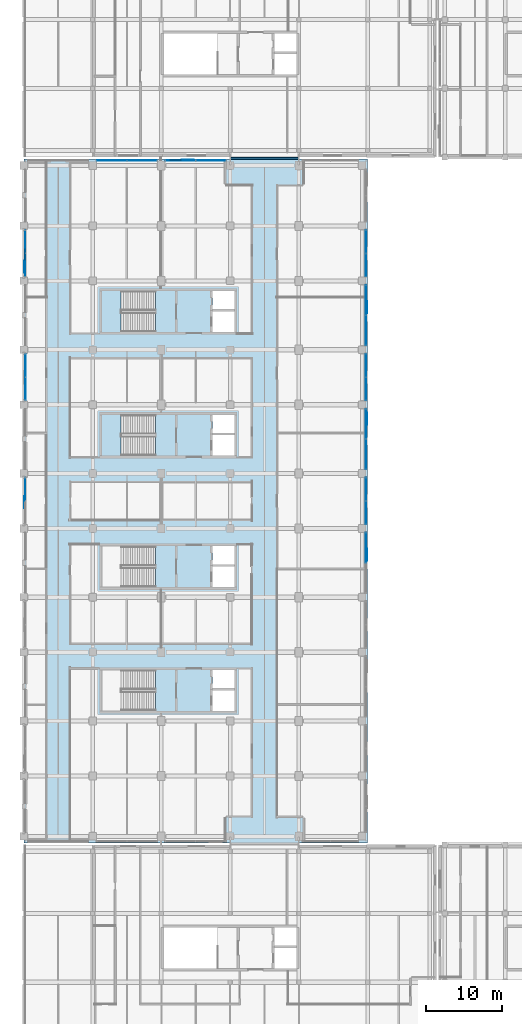
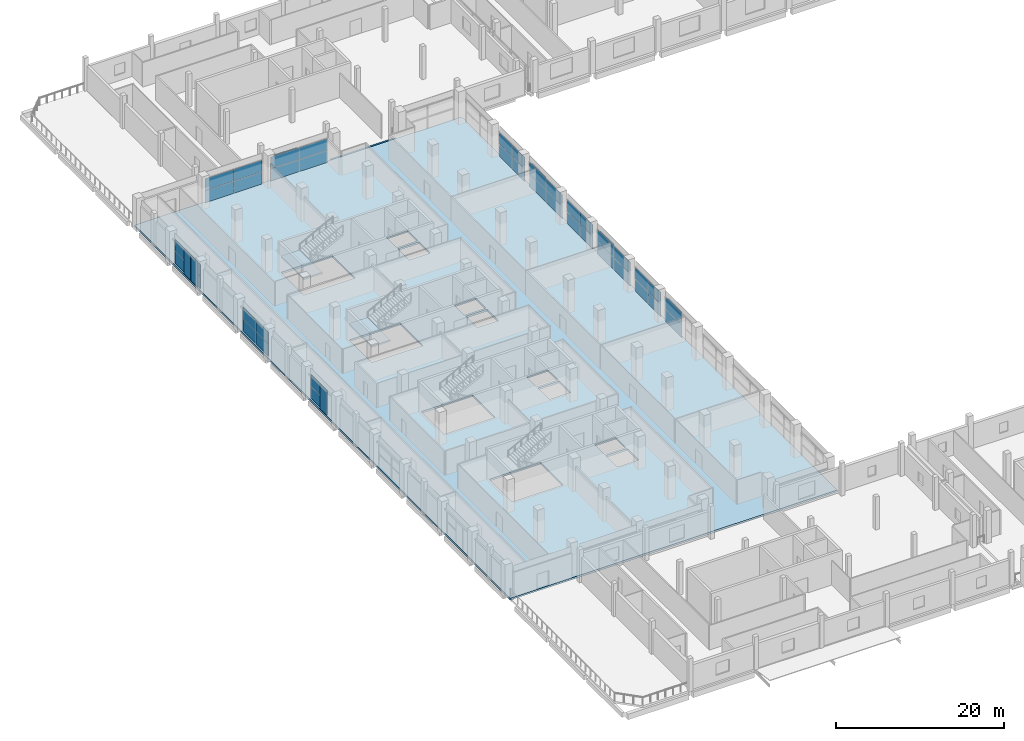
# One storey, part 55 of 111: 51 plates, 4 slabs, 13 elements without a shape of their own.
"""IFC4 building model written with IfcOpenShell, lengths in metres."""

import ifcopenshell
import ifcopenshell.guid

model = None  # the IFC model being written
_history = None  # IfcOwnerHistory: only IFC2X3 demands one
_inside = {}  # id of a spatial element -> (the spatial element, [elements in it])
_under = {}  # id of a project, library or spatial element -> (it, [spatial elements below it])
_declared = {}  # id of a project -> (the project, [libraries it declares])
_typed = {}  # id of a type object -> (the type object, [elements of that type])
_made_of = {}  # id of a material, layer set ... -> (it, [elements and type objects made of it])


def new_model(schema):
    """Start an empty IFC model of exactly this schema.

    Asked for "IFC4X3", IfcOpenShell would pick the latest addendum, in which some entities
    have other attributes; the version numbers below select the first issue.
    IFC2X3 requires an IfcOwnerHistory on every rooted entity: one is made here for all.
    """
    global model, _history
    if schema == "IFC4X3":
        model = ifcopenshell.file(schema_version=(4, 3, 0, 0))
    else:
        model = ifcopenshell.file(schema=schema)
    _inside.clear()
    _under.clear()
    _declared.clear()
    _typed.clear()
    _made_of.clear()
    _history = None
    if model.schema == "IFC2X3":
        org = make("IfcOrganization", Name="unknown")
        user = make(
            "IfcPersonAndOrganization",
            ThePerson=make("IfcPerson", FamilyName="unknown"),
            TheOrganization=org,
        )
        app = make(
            "IfcApplication",
            ApplicationDeveloper=org,
            Version="unknown",
            ApplicationFullName="unknown",
            ApplicationIdentifier="unknown",
        )
        _history = make(
            "IfcOwnerHistory",
            OwningUser=user,
            OwningApplication=app,
            ChangeAction="ADDED",
            CreationDate=0,
        )
    return model


def make(cls, **values):
    """One entity of the class cls with the attributes given. An attribute that is None is left unset."""
    return model.create_entity(
        cls, **{name: value for name, value in values.items() if value is not None}
    )


def rooted(cls, **values):
    """An entity with a GlobalId (a new one), such as an element, a storey or a relation."""
    return make(cls, GlobalId=ifcopenshell.guid.new(), OwnerHistory=_history, **values)


def si_unit(unit_type, name, prefix=None):
    """IfcSIUnit, for example si_unit("LENGTHUNIT", "METRE", prefix="MILLI")."""
    return make("IfcSIUnit", UnitType=unit_type, Prefix=prefix, Name=name)


def assignment(units):
    """IfcUnitAssignment: the units of a project."""
    return None if units is None else make("IfcUnitAssignment", Units=units)


def point(xyz):
    """IfcCartesianPoint."""
    return None if xyz is None else make("IfcCartesianPoint", Coordinates=xyz)


def direction(xyz):
    """IfcDirection."""
    return None if xyz is None else make("IfcDirection", DirectionRatios=xyz)


def frame(location, z_axis=None, x_axis=None):
    """IfcAxis2Placement3D, a coordinate frame: its origin and axes. An axis left out is left unset."""
    return make(
        "IfcAxis2Placement3D",
        Location=point(location),
        Axis=direction(z_axis),
        RefDirection=direction(x_axis),
    )


def frame_2d(location, x_axis=None):
    """IfcAxis2Placement2D, a coordinate frame in the plane: its origin and x axis."""
    return make(
        "IfcAxis2Placement2D", Location=point(location), RefDirection=direction(x_axis)
    )


def origin():
    """The frame at (0, 0, 0) with its axes left unset."""
    return frame((0.0, 0.0, 0.0))


def origin_2d():
    """The frame at (0, 0) in the plane with its x axis left unset."""
    return frame_2d((0.0, 0.0))


def place(relative_to, where):
    """IfcLocalPlacement: puts the frame where relative to a parent placement (None: the world)."""
    return make(
        "IfcLocalPlacement", PlacementRelTo=relative_to, RelativePlacement=where
    )


def context(
    kind, dimensions, precision=None, world=None, true_north=None, identifier=None
):
    """IfcGeometricRepresentationContext, for example the 3D "Model" context."""
    return make(
        "IfcGeometricRepresentationContext",
        ContextIdentifier=identifier,
        ContextType=kind,
        CoordinateSpaceDimension=dimensions,
        Precision=precision,
        WorldCoordinateSystem=world,
        TrueNorth=true_north,
    )


def subcontext(parent, identifier, kind, view, scale=None):
    """IfcGeometricRepresentationSubContext, for example "Body" below "Model"."""
    return make(
        "IfcGeometricRepresentationSubContext",
        ContextIdentifier=identifier,
        ContextType=kind,
        ParentContext=parent,
        TargetScale=scale,
        TargetView=view,
    )


def project(units=None, contexts=None):
    """IfcProject with its units and contexts."""
    return rooted(
        "IfcProject",
        Name="project",
        RepresentationContexts=contexts,
        UnitsInContext=assignment(units),
    )


def spatial(cls, under=None, at=None, **own):
    """A site, building, storey or space (cls), placed at a placement, below another one or the project."""
    s = rooted(cls, ObjectPlacement=at, **own)
    if under is not None:
        _under.setdefault(under.id(), (under, []))[1].append(s)
    return s


def polyline(points):
    """IfcPolyline through the points."""
    return make("IfcPolyline", Points=[point(p) for p in points])


def profile(cls, at=None, kind="AREA", **sizes):
    """A parametric profile (cls). Its sizes go by their IFC names, for example OverallWidth=200.0."""
    return make(cls, ProfileType=kind, Position=at, **sizes)


def rectangle(**sizes):
    """IfcRectangleProfileDef."""
    return profile("IfcRectangleProfileDef", **sizes)


def outline(outer, holes=None, kind="AREA"):
    """IfcArbitraryClosedProfileDef: a profile drawn as a closed curve; with holes, ...WithVoids."""
    if holes is None:
        return make("IfcArbitraryClosedProfileDef", ProfileType=kind, OuterCurve=outer)
    return make(
        "IfcArbitraryProfileDefWithVoids",
        ProfileType=kind,
        OuterCurve=outer,
        InnerCurves=holes,
    )


def extrude(swept, where, along, depth):
    """IfcExtrudedAreaSolid: the profile swept, set in the frame where, extruded along a direction by depth."""
    return make(
        "IfcExtrudedAreaSolid",
        SweptArea=swept,
        Position=where,
        ExtrudedDirection=direction(along),
        Depth=depth,
    )


def shape(context_of_items, identifier, shape_type, items):
    """IfcShapeRepresentation: the items that make up one representation, for example the "Body"."""
    return make(
        "IfcShapeRepresentation",
        ContextOfItems=context_of_items,
        RepresentationIdentifier=identifier,
        RepresentationType=shape_type,
        Items=items,
    )


def material(Name=None, Category=None):
    """IfcMaterial."""
    return make("IfcMaterial", Name=Name, Category=Category)


def layer(
    of_material, thickness, ventilated=None, Name=None, Category=None, Priority=None
):
    """IfcMaterialLayer: one layer of a wall or slab, of a material (None: an air gap)."""
    return make(
        "IfcMaterialLayer",
        Material=of_material,
        LayerThickness=thickness,
        IsVentilated=ventilated,
        Name=Name,
        Category=Category,
        Priority=Priority,
    )


def layer_set(layers, Name=None):
    """IfcMaterialLayerSet."""
    return make("IfcMaterialLayerSet", MaterialLayers=layers, LayerSetName=Name)


def made_of(thing, what):
    """Note that an element or type object is made of a material, layer set ...; save() writes the relation."""
    if what is not None:
        _made_of.setdefault(what.id(), (what, []))[1].append(thing)
    return thing


def type_object(cls, material=None, **own):
    """A type object (cls), such as IfcWallType, which elements share."""
    return made_of(rooted(cls, **own), material)


def element(
    cls,
    number,
    at=None,
    inside=None,
    cuts=None,
    type_object=None,
    material=None,
    context=None,
    identifier="Body",
    shape_type=None,
    held_by="IfcProductDefinitionShape",
    body=None,
    shapes=None,
    **own,
):
    """One element of the class cls, such as IfcWall. Its Tag is "e" and its number.

    at: its placement. inside: the storey or other place that contains it. cuts: it is an
    opening in that element (IfcRelVoidsElement). A single representation is given by context,
    identifier, shape_type and body (its items); several are given by shapes. held_by: the class
    of the entity that holds the representations. save() writes the other relations.
    """
    e = rooted(cls, Tag="e%d" % number, ObjectPlacement=at, **own)
    if body is not None:
        shapes = [shape(context, identifier, shape_type, body)]
    if shapes is not None:
        e.Representation = make(held_by, Representations=shapes)
    if inside is not None:
        _inside.setdefault(inside.id(), (inside, []))[1].append(e)
    if cuts is not None:
        rooted(
            "IfcRelVoidsElement", RelatingBuildingElement=cuts, RelatedOpeningElement=e
        )
    if type_object is not None:
        _typed.setdefault(type_object.id(), (type_object, []))[1].append(e)
    return made_of(e, material)


def aggregate(whole, parts):
    """IfcRelAggregates: a whole, such as a stair, and the parts it consists of."""
    return rooted("IfcRelAggregates", RelatingObject=whole, RelatedObjects=parts)


def save(model, path):
    """Write the relations noted so far, then the file.

    IfcRelAggregates (storeys below a building ...), IfcRelContainedInSpatialStructure (elements
    in a storey), IfcRelDefinesByType, IfcRelAssociatesMaterial and IfcRelDeclares: one each for
    every whole, place, type object, material and project.
    """
    for whole, parts in _under.values():
        aggregate(whole, parts)
    for where, things in _inside.values():
        rooted(
            "IfcRelContainedInSpatialStructure",
            RelatedElements=things,
            RelatingStructure=where,
        )
    for kind, things in _typed.values():
        rooted("IfcRelDefinesByType", RelatedObjects=things, RelatingType=kind)
    for what, things in _made_of.values():
        rooted("IfcRelAssociatesMaterial", RelatedObjects=things, RelatingMaterial=what)
    for by, libraries in _declared.values():
        rooted("IfcRelDeclares", RelatingContext=by, RelatedDefinitions=libraries)
    model.write(path)


model = new_model("IFC4")

# Units and contexts
model_context = context("Model", 3, precision=1e-05, world=origin(), true_north=direction((0.0, 1.0)))
body_context = subcontext(model_context, "Body", "Model", "MODEL_VIEW")
ifc_project = project(units=[si_unit("LENGTHUNIT", "METRE"), si_unit("AREAUNIT", "SQUARE_METRE"), si_unit("VOLUMEUNIT", "CUBIC_METRE"), si_unit("PLANEANGLEUNIT", "RADIAN"), si_unit("MASSUNIT", "GRAM", prefix="KILO"), si_unit("THERMODYNAMICTEMPERATUREUNIT", "KELVIN"), si_unit("POWERUNIT", "WATT")], contexts=[model_context])

# Site, building, storey
site_placement = place(None, origin())
site = spatial("IfcSite", under=ifc_project, at=site_placement, CompositionType="ELEMENT")
building_placement = place(site_placement, origin())
building = spatial("IfcBuilding", under=site, at=building_placement, Name="Sindhuravela Promenade Stadium", CompositionType="ELEMENT")
storey_placement = place(building_placement, frame((0.0, 0.0, 9.60009765625)))
storey = spatial("IfcBuildingStorey", under=building, at=storey_placement, Name="L02", CompositionType="ELEMENT", Elevation=9.60009765625)

# Plates
ifc_material_1 = material(Name="Perforated terracotta celosia brick (15 MPa)", Category="masonry")
ifc_layer_1 = layer(ifc_material_1, 0.090087890625)
ifc_layer_set_1 = layer_set([ifc_layer_1], Name="Perforated terracotta celosia brick (15 MPa)")
plate_type_1 = type_object("IfcPlateType", Name="CL-SCR-01", PredefinedType="USERDEFINED", material=ifc_layer_set_1)
for number, where, z_axis, x_axis, name in (
    (1, (0.1201171875, 80.85498046875, -0.000244140625), (0.0, 0.0, 1.0), (0.0, 1.0, 0.0), "Perforated brick celosia screen WEST L02-8"),
    (2, (21.455078125, 125.6298828125, -0.000244140625), (0.0, 0.0, 1.0), (1.0, 0.0, 0.0), "Perforated brick celosia screen WEST L02-12"),
    (3, (44.8798828125, 106.344970703125, -0.000244140625), (0.0, 0.0, 1.0), (0.0, -1.0, 0.0), "Perforated brick celosia screen WEST L02-16"),
    (4, (44.8798828125, 73.945068359375, -0.000244140625), (0.0, 0.0, 1.0), (0.0, -1.0, 0.0), "Perforated brick celosia screen WEST L02-20"),
):
    element("IfcPlate", number, at=place(storey_placement, frame(where, z_axis=z_axis, x_axis=x_axis)), inside=storey, type_object=plate_type_1, Name=name, ObjectType="SCREEN PANEL", PredefinedType="USERDEFINED", context=body_context, shape_type="SweptSolid", body=[
        extrude(rectangle(XDim=1.56005859375, YDim=0.090087890625, at=origin_2d()), origin(), (0.0, 0.0, 1.0), 3.580078125),
    ])
ifc_layer_2 = layer(ifc_material_1, 0.114990234375)
ifc_layer_set_2 = layer_set([ifc_layer_2], Name="Perforated terracotta celosia brick (15 MPa)")
plate_type_2 = type_object("IfcPlateType", Name="CL-SCR-02", PredefinedType="USERDEFINED", material=ifc_layer_set_2)
for number, where, z_axis, x_axis, name in (
    (5, (0.1201171875, 111.655029296875, -0.000244140625), (0.0, 0.0, 1.0), (0.0, 1.0, 0.0), "Perforated brick celosia screen WEST L02-9"),
    (6, (44.8798828125, 91.7451171875, -0.000244140625), (0.0, 0.0, 1.0), (0.0, -1.0, 0.0), "Perforated brick celosia screen WEST L02-17"),
):
    element("IfcPlate", number, at=place(storey_placement, frame(where, z_axis=z_axis, x_axis=x_axis)), inside=storey, type_object=plate_type_2, Name=name, ObjectType="SCREEN PANEL", PredefinedType="USERDEFINED", context=body_context, shape_type="SweptSolid", body=[
        extrude(rectangle(XDim=1.56005859375, YDim=0.114990234375, at=origin_2d()), origin(), (0.0, 0.0, 1.0), 3.580078125),
    ])
ifc_layer_3 = layer(ifc_material_1, 0.139892578125)
ifc_layer_set_3 = layer_set([ifc_layer_3], Name="Perforated terracotta celosia brick (15 MPa)")
plate_type_3 = type_object("IfcPlateType", Name="CL-SCR-03", PredefinedType="USERDEFINED", material=ifc_layer_set_3)
for number, where, z_axis, x_axis, name in (
    (7, (0.1201171875, 113.2548828125, -0.000244140625), (0.0, 0.0, 1.0), (0.0, 1.0, 0.0), "Perforated brick celosia screen WEST L02-10"),
    (8, (44.8798828125, 90.14501953125, -0.000244140625), (0.0, 0.0, 1.0), (0.0, -1.0, 0.0), "Perforated brick celosia screen WEST L02-18"),
):
    element("IfcPlate", number, at=place(storey_placement, frame(where, z_axis=z_axis, x_axis=x_axis)), inside=storey, type_object=plate_type_3, Name=name, ObjectType="SCREEN PANEL", PredefinedType="USERDEFINED", context=body_context, shape_type="SweptSolid", body=[
        extrude(rectangle(XDim=1.56005859375, YDim=0.139892578125, at=origin_2d()), origin(), (0.0, 0.0, 1.0), 3.580078125),
    ])
ifc_layer_4 = layer(ifc_material_1, 0.1650390625)
ifc_layer_set_4 = layer_set([ifc_layer_4], Name="Perforated terracotta celosia brick (15 MPa)")
plate_type_4 = type_object("IfcPlateType", Name="CL-SCR-04", PredefinedType="USERDEFINED", material=ifc_layer_set_4)
for number, where, z_axis, x_axis, name in (
    (9, (19.85498046875, 125.6298828125, -0.000244140625), (0.0, 0.0, 1.0), (1.0, 0.0, 0.0), "Perforated brick celosia screen WEST L02-11"),
    (10, (44.8798828125, 107.945068359375, -0.000244140625), (0.0, 0.0, 1.0), (0.0, -1.0, 0.0), "Perforated brick celosia screen WEST L02-15"),
    (11, (44.8798828125, 75.544921875, -0.000244140625), (0.0, 0.0, 1.0), (0.0, -1.0, 0.0), "Perforated brick celosia screen WEST L02-19"),
):
    element("IfcPlate", number, at=place(storey_placement, frame(where, z_axis=z_axis, x_axis=x_axis)), inside=storey, type_object=plate_type_4, Name=name, ObjectType="SCREEN PANEL", PredefinedType="USERDEFINED", context=body_context, shape_type="SweptSolid", body=[
        extrude(rectangle(XDim=1.56005859375, YDim=0.1650390625, at=origin_2d()), origin(), (0.0, 0.0, 1.0), 3.580078125),
    ])

# Curtain wall, plates
ifc_material_2 = material(Name="Anodised architectural aluminium 6063-T6", Category="aluminium")
curtain_wall_type_1 = type_object("IfcCurtainWallType", Name="CW-MOD-1", PredefinedType="NOTDEFINED", material=ifc_material_2)
curtain_wall_1_placement = place(storey_placement, origin())
curtain_wall_1 = element("IfcCurtainWall", 12, at=curtain_wall_1_placement, inside=storey, type_object=curtain_wall_type_1, Name="Bronze curtain wall CW-WEST-L02-008", PredefinedType="NOTDEFINED")
ifc_material_3 = material(Name="Tempered laminated low-E glass", Category="glass")
ifc_layer_5 = layer(ifc_material_3, 0.028076171875)
ifc_layer_set_5 = layer_set([ifc_layer_5], Name="Tempered laminated low-E glass")
plate_type_5 = type_object("IfcPlateType", Name="CW-PNL-01", PredefinedType="CURTAIN_PANEL", material=ifc_layer_set_5)
plate_1_placement = place(storey_placement, frame((0.199951171875, 82.52490234375, 0.01513671875), z_axis=(0.0, 0.0, 1.0), x_axis=(0.0, 1.0, 0.0)))
plate_1 = element("IfcPlate", 13, at=plate_1_placement, type_object=plate_type_5, Name="Glazed curtain panel CW-WEST-L02-008-P2.1", PredefinedType="CURTAIN_PANEL", context=body_context, shape_type="SweptSolid", body=[
    extrude(rectangle(XDim=2.989990234375, YDim=0.028076171875, at=origin_2d()), origin(), (0.0, 0.0, 1.0), 1.760009765625),
])
plate_2_placement = place(storey_placement, frame((0.199951171875, 82.52490234375, 1.80517578125), z_axis=(0.0, 0.0, 1.0), x_axis=(0.0, 1.0, 0.0)))
plate_2 = element("IfcPlate", 14, at=plate_2_placement, type_object=plate_type_5, Name="Glazed curtain panel CW-WEST-L02-008-P2.2", PredefinedType="CURTAIN_PANEL", context=body_context, shape_type="SweptSolid", body=[
    extrude(rectangle(XDim=2.989990234375, YDim=0.028076171875, at=origin_2d()), origin(), (0.0, 0.0, 1.0), 1.679931640625),
])
aggregate(curtain_wall_1, [plate_1, plate_2])

curtain_wall_type_2 = type_object("IfcCurtainWallType", Name="CW-MOD-3", PredefinedType="NOTDEFINED", material=ifc_material_2)
curtain_wall_2_placement = place(storey_placement, origin())
curtain_wall_2 = element("IfcCurtainWall", 15, at=curtain_wall_2_placement, inside=storey, type_object=curtain_wall_type_2, Name="Bronze curtain wall CW-WEST-L02-010", PredefinedType="NOTDEFINED")
plate_3_placement = place(storey_placement, frame((0.199951171875, 111.875, 0.01513671875), z_axis=(0.0, 0.0, 1.0), x_axis=(0.0, 1.0, 0.0)))
plate_3 = element("IfcPlate", 16, at=plate_3_placement, type_object=plate_type_5, Name="Glazed curtain panel CW-WEST-L02-010-P1.1", PredefinedType="CURTAIN_PANEL", context=body_context, shape_type="SweptSolid", body=[
    extrude(rectangle(XDim=2.989990234375, YDim=0.028076171875, at=origin_2d()), origin(), (0.0, 0.0, 1.0), 1.760009765625),
])
plate_4_placement = place(storey_placement, frame((0.199951171875, 111.875, 1.80517578125), z_axis=(0.0, 0.0, 1.0), x_axis=(0.0, 1.0, 0.0)))
plate_4 = element("IfcPlate", 17, at=plate_4_placement, type_object=plate_type_5, Name="Glazed curtain panel CW-WEST-L02-010-P1.2", PredefinedType="CURTAIN_PANEL", context=body_context, shape_type="SweptSolid", body=[
    extrude(rectangle(XDim=2.989990234375, YDim=0.028076171875, at=origin_2d()), origin(), (0.0, 0.0, 1.0), 1.679931640625),
])
plate_5_placement = place(storey_placement, frame((0.199951171875, 114.925048828125, 0.01513671875), z_axis=(0.0, 0.0, 1.0), x_axis=(0.0, 1.0, 0.0)))
plate_5 = element("IfcPlate", 18, at=plate_5_placement, type_object=plate_type_5, Name="Glazed curtain panel CW-WEST-L02-010-P2.1", PredefinedType="CURTAIN_PANEL", context=body_context, shape_type="SweptSolid", body=[
    extrude(rectangle(XDim=2.989990234375, YDim=0.028076171875, at=origin_2d()), origin(), (0.0, 0.0, 1.0), 1.760009765625),
])
plate_6_placement = place(storey_placement, frame((0.199951171875, 114.925048828125, 1.80517578125), z_axis=(0.0, 0.0, 1.0), x_axis=(0.0, 1.0, 0.0)))
plate_6 = element("IfcPlate", 19, at=plate_6_placement, type_object=plate_type_5, Name="Glazed curtain panel CW-WEST-L02-010-P2.2", PredefinedType="CURTAIN_PANEL", context=body_context, shape_type="SweptSolid", body=[
    extrude(rectangle(XDim=2.989990234375, YDim=0.028076171875, at=origin_2d()), origin(), (0.0, 0.0, 1.0), 1.679931640625),
])
aggregate(curtain_wall_2, [plate_3, plate_4, plate_5, plate_6])

curtain_wall_type_3 = type_object("IfcCurtainWallType", Name="CW-MOD-5", PredefinedType="NOTDEFINED", material=ifc_material_2)
curtain_wall_3_placement = place(storey_placement, origin())
curtain_wall_3 = element("IfcCurtainWall", 20, at=curtain_wall_3_placement, inside=storey, type_object=curtain_wall_type_3, Name="Bronze curtain wall CW-WEST-L02-012", PredefinedType="NOTDEFINED")
plate_7_placement = place(storey_placement, frame((20.52490234375, 125.550048828125, 0.01513671875), z_axis=(0.0, 0.0, 1.0), x_axis=(1.0, 0.0, 0.0)))
plate_7 = element("IfcPlate", 21, at=plate_7_placement, type_object=plate_type_5, Name="Glazed curtain panel CW-WEST-L02-012-P1.1", PredefinedType="CURTAIN_PANEL", context=body_context, shape_type="SweptSolid", body=[
    extrude(rectangle(XDim=3.889892578125, YDim=0.028076171875, at=origin_2d()), origin(), (0.0, 0.0, 1.0), 1.760009765625),
])
plate_8_placement = place(storey_placement, frame((20.52490234375, 125.550048828125, 1.80517578125), z_axis=(0.0, 0.0, 1.0), x_axis=(1.0, 0.0, 0.0)))
plate_8 = element("IfcPlate", 22, at=plate_8_placement, type_object=plate_type_5, Name="Glazed curtain panel CW-WEST-L02-012-P1.2", PredefinedType="CURTAIN_PANEL", context=body_context, shape_type="SweptSolid", body=[
    extrude(rectangle(XDim=3.889892578125, YDim=0.028076171875, at=origin_2d()), origin(), (0.0, 0.0, 1.0), 1.679931640625),
])
plate_9_placement = place(storey_placement, frame((24.47509765625, 125.550048828125, 0.01513671875), z_axis=(0.0, 0.0, 1.0), x_axis=(1.0, 0.0, 0.0)))
plate_9 = element("IfcPlate", 23, at=plate_9_placement, type_object=plate_type_5, Name="Glazed curtain panel CW-WEST-L02-012-P2.1", PredefinedType="CURTAIN_PANEL", context=body_context, shape_type="SweptSolid", body=[
    extrude(rectangle(XDim=3.889892578125, YDim=0.028076171875, at=origin_2d()), origin(), (0.0, 0.0, 1.0), 1.760009765625),
])
plate_10_placement = place(storey_placement, frame((24.47509765625, 125.550048828125, 1.80517578125), z_axis=(0.0, 0.0, 1.0), x_axis=(1.0, 0.0, 0.0)))
plate_10 = element("IfcPlate", 24, at=plate_10_placement, type_object=plate_type_5, Name="Glazed curtain panel CW-WEST-L02-012-P2.2", PredefinedType="CURTAIN_PANEL", context=body_context, shape_type="SweptSolid", body=[
    extrude(rectangle(XDim=3.889892578125, YDim=0.028076171875, at=origin_2d()), origin(), (0.0, 0.0, 1.0), 1.679931640625),
])
aggregate(curtain_wall_3, [plate_7, plate_8, plate_9, plate_10])

curtain_wall_4_placement = place(storey_placement, origin())
curtain_wall_4 = element("IfcCurtainWall", 25, at=curtain_wall_4_placement, inside=storey, type_object=curtain_wall_type_1, Name="Bronze curtain wall CW-WEST-L02-016", PredefinedType="NOTDEFINED")
plate_11_placement = place(storey_placement, frame((44.800048828125, 107.27490234375, 0.01513671875), z_axis=(0.0, 0.0, 1.0), x_axis=(0.0, -1.0, 0.0)))
plate_11 = element("IfcPlate", 26, at=plate_11_placement, type_object=plate_type_5, Name="Glazed curtain panel CW-WEST-L02-016-P1.1", PredefinedType="CURTAIN_PANEL", context=body_context, shape_type="SweptSolid", body=[
    extrude(rectangle(XDim=3.889892578125, YDim=0.028076171875, at=origin_2d()), origin(), (0.0, 0.0, 1.0), 1.760009765625),
])
plate_12_placement = place(storey_placement, frame((44.800048828125, 107.27490234375, 1.80517578125), z_axis=(0.0, 0.0, 1.0), x_axis=(0.0, -1.0, 0.0)))
plate_12 = element("IfcPlate", 27, at=plate_12_placement, type_object=plate_type_5, Name="Glazed curtain panel CW-WEST-L02-016-P1.2", PredefinedType="CURTAIN_PANEL", context=body_context, shape_type="SweptSolid", body=[
    extrude(rectangle(XDim=3.889892578125, YDim=0.028076171875, at=origin_2d()), origin(), (0.0, 0.0, 1.0), 1.679931640625),
])
plate_13_placement = place(storey_placement, frame((44.800048828125, 103.324951171875, 0.01513671875), z_axis=(0.0, 0.0, 1.0), x_axis=(0.0, -1.0, 0.0)))
plate_13 = element("IfcPlate", 28, at=plate_13_placement, type_object=plate_type_5, Name="Glazed curtain panel CW-WEST-L02-016-P2.1", PredefinedType="CURTAIN_PANEL", context=body_context, shape_type="SweptSolid", body=[
    extrude(rectangle(XDim=3.889892578125, YDim=0.028076171875, at=origin_2d()), origin(), (0.0, 0.0, 1.0), 1.760009765625),
])
plate_14_placement = place(storey_placement, frame((44.800048828125, 103.324951171875, 1.80517578125), z_axis=(0.0, 0.0, 1.0), x_axis=(0.0, -1.0, 0.0)))
plate_14 = element("IfcPlate", 29, at=plate_14_placement, type_object=plate_type_5, Name="Glazed curtain panel CW-WEST-L02-016-P2.2", PredefinedType="CURTAIN_PANEL", context=body_context, shape_type="SweptSolid", body=[
    extrude(rectangle(XDim=3.889892578125, YDim=0.028076171875, at=origin_2d()), origin(), (0.0, 0.0, 1.0), 1.679931640625),
])
aggregate(curtain_wall_4, [plate_11, plate_12, plate_13, plate_14])

curtain_wall_5_placement = place(storey_placement, origin())
curtain_wall_5 = element("IfcCurtainWall", 30, at=curtain_wall_5_placement, inside=storey, type_object=curtain_wall_type_2, Name="Bronze curtain wall CW-WEST-L02-018", PredefinedType="NOTDEFINED")
plate_15_placement = place(storey_placement, frame((44.800048828125, 91.074951171875, 0.01513671875), z_axis=(0.0, 0.0, 1.0), x_axis=(0.0, -1.0, 0.0)))
plate_15 = element("IfcPlate", 31, at=plate_15_placement, type_object=plate_type_5, Name="Glazed curtain panel CW-WEST-L02-018-P1.1", PredefinedType="CURTAIN_PANEL", context=body_context, shape_type="SweptSolid", body=[
    extrude(rectangle(XDim=3.889892578125, YDim=0.028076171875, at=origin_2d()), origin(), (0.0, 0.0, 1.0), 1.760009765625),
])
plate_16_placement = place(storey_placement, frame((44.800048828125, 91.074951171875, 1.80517578125), z_axis=(0.0, 0.0, 1.0), x_axis=(0.0, -1.0, 0.0)))
plate_16 = element("IfcPlate", 32, at=plate_16_placement, type_object=plate_type_5, Name="Glazed curtain panel CW-WEST-L02-018-P1.2", PredefinedType="CURTAIN_PANEL", context=body_context, shape_type="SweptSolid", body=[
    extrude(rectangle(XDim=3.889892578125, YDim=0.028076171875, at=origin_2d()), origin(), (0.0, 0.0, 1.0), 1.679931640625),
])
plate_17_placement = place(storey_placement, frame((44.800048828125, 87.125, 0.01513671875), z_axis=(0.0, 0.0, 1.0), x_axis=(0.0, -1.0, 0.0)))
plate_17 = element("IfcPlate", 33, at=plate_17_placement, type_object=plate_type_5, Name="Glazed curtain panel CW-WEST-L02-018-P2.1", PredefinedType="CURTAIN_PANEL", context=body_context, shape_type="SweptSolid", body=[
    extrude(rectangle(XDim=3.889892578125, YDim=0.028076171875, at=origin_2d()), origin(), (0.0, 0.0, 1.0), 1.760009765625),
])
plate_18_placement = place(storey_placement, frame((44.800048828125, 87.125, 1.80517578125), z_axis=(0.0, 0.0, 1.0), x_axis=(0.0, -1.0, 0.0)))
plate_18 = element("IfcPlate", 34, at=plate_18_placement, type_object=plate_type_5, Name="Glazed curtain panel CW-WEST-L02-018-P2.2", PredefinedType="CURTAIN_PANEL", context=body_context, shape_type="SweptSolid", body=[
    extrude(rectangle(XDim=3.889892578125, YDim=0.028076171875, at=origin_2d()), origin(), (0.0, 0.0, 1.0), 1.679931640625),
])
aggregate(curtain_wall_5, [plate_15, plate_16, plate_17, plate_18])

curtain_wall_6_placement = place(storey_placement, origin())
curtain_wall_6 = element("IfcCurtainWall", 35, at=curtain_wall_6_placement, inside=storey, type_object=curtain_wall_type_3, Name="Bronze curtain wall CW-WEST-L02-020", PredefinedType="NOTDEFINED")
plate_19_placement = place(storey_placement, frame((44.800048828125, 74.875, 0.01513671875), z_axis=(0.0, 0.0, 1.0), x_axis=(0.0, -1.0, 0.0)))
plate_19 = element("IfcPlate", 36, at=plate_19_placement, type_object=plate_type_5, Name="Glazed curtain panel CW-WEST-L02-020-P1.1", PredefinedType="CURTAIN_PANEL", context=body_context, shape_type="SweptSolid", body=[
    extrude(rectangle(XDim=3.889892578125, YDim=0.028076171875, at=origin_2d()), origin(), (0.0, 0.0, 1.0), 1.760009765625),
])
plate_20_placement = place(storey_placement, frame((44.800048828125, 74.875, 1.80517578125), z_axis=(0.0, 0.0, 1.0), x_axis=(0.0, -1.0, 0.0)))
plate_20 = element("IfcPlate", 37, at=plate_20_placement, type_object=plate_type_5, Name="Glazed curtain panel CW-WEST-L02-020-P1.2", PredefinedType="CURTAIN_PANEL", context=body_context, shape_type="SweptSolid", body=[
    extrude(rectangle(XDim=3.889892578125, YDim=0.028076171875, at=origin_2d()), origin(), (0.0, 0.0, 1.0), 1.679931640625),
])
aggregate(curtain_wall_6, [plate_19, plate_20])

curtain_wall_type_4 = type_object("IfcCurtainWallType", Name="CW-MOD-2", PredefinedType="NOTDEFINED", material=ifc_material_2)
curtain_wall_7_placement = place(storey_placement, origin())
curtain_wall_7 = element("IfcCurtainWall", 38, at=curtain_wall_7_placement, inside=storey, type_object=curtain_wall_type_4, Name="Bronze curtain wall CW-WEST-L02-009", PredefinedType="NOTDEFINED")
ifc_layer_6 = layer(ifc_material_3, 0.0400390625)
ifc_layer_set_6 = layer_set([ifc_layer_6], Name="Tempered laminated low-E glass")
plate_type_6 = type_object("IfcPlateType", Name="CW-PNL-02", PredefinedType="CURTAIN_PANEL", material=ifc_layer_set_6)
plate_21_placement = place(storey_placement, frame((0.199951171875, 95.675048828125, 0.01513671875), z_axis=(0.0, 0.0, 1.0), x_axis=(0.0, 1.0, 0.0)))
plate_21 = element("IfcPlate", 39, at=plate_21_placement, type_object=plate_type_6, Name="Glazed curtain panel CW-WEST-L02-009-P1.1", PredefinedType="CURTAIN_PANEL", context=body_context, shape_type="SweptSolid", body=[
    extrude(rectangle(XDim=2.989990234375, YDim=0.0400390625, at=origin_2d()), origin(), (0.0, 0.0, 1.0), 1.760009765625),
])
plate_22_placement = place(storey_placement, frame((0.199951171875, 95.675048828125, 1.80517578125), z_axis=(0.0, 0.0, 1.0), x_axis=(0.0, 1.0, 0.0)))
plate_22 = element("IfcPlate", 40, at=plate_22_placement, type_object=plate_type_6, Name="Glazed curtain panel CW-WEST-L02-009-P1.2", PredefinedType="CURTAIN_PANEL", context=body_context, shape_type="SweptSolid", body=[
    extrude(rectangle(XDim=2.989990234375, YDim=0.0400390625, at=origin_2d()), origin(), (0.0, 0.0, 1.0), 1.679931640625),
])
plate_23_placement = place(storey_placement, frame((0.199951171875, 98.72509765625, 0.01513671875), z_axis=(0.0, 0.0, 1.0), x_axis=(0.0, 1.0, 0.0)))
plate_23 = element("IfcPlate", 41, at=plate_23_placement, type_object=plate_type_6, Name="Glazed curtain panel CW-WEST-L02-009-P2.1", PredefinedType="CURTAIN_PANEL", context=body_context, shape_type="SweptSolid", body=[
    extrude(rectangle(XDim=2.989990234375, YDim=0.0400390625, at=origin_2d()), origin(), (0.0, 0.0, 1.0), 1.760009765625),
])
plate_24_placement = place(storey_placement, frame((0.199951171875, 98.72509765625, 1.80517578125), z_axis=(0.0, 0.0, 1.0), x_axis=(0.0, 1.0, 0.0)))
plate_24 = element("IfcPlate", 42, at=plate_24_placement, type_object=plate_type_6, Name="Glazed curtain panel CW-WEST-L02-009-P2.2", PredefinedType="CURTAIN_PANEL", context=body_context, shape_type="SweptSolid", body=[
    extrude(rectangle(XDim=2.989990234375, YDim=0.0400390625, at=origin_2d()), origin(), (0.0, 0.0, 1.0), 1.679931640625),
])
aggregate(curtain_wall_7, [plate_21, plate_22, plate_23, plate_24])

curtain_wall_type_5 = type_object("IfcCurtainWallType", Name="CW-MOD-4", PredefinedType="NOTDEFINED", material=ifc_material_2)
curtain_wall_8_placement = place(storey_placement, origin())
curtain_wall_8 = element("IfcCurtainWall", 43, at=curtain_wall_8_placement, inside=storey, type_object=curtain_wall_type_5, Name="Bronze curtain wall CW-WEST-L02-011", PredefinedType="NOTDEFINED")
plate_25_placement = place(storey_placement, frame((11.52490234375, 125.550048828125, 0.01513671875), z_axis=(0.0, 0.0, 1.0), x_axis=(1.0, 0.0, 0.0)))
plate_25 = element("IfcPlate", 44, at=plate_25_placement, type_object=plate_type_6, Name="Glazed curtain panel CW-WEST-L02-011-P1.1", PredefinedType="CURTAIN_PANEL", context=body_context, shape_type="SweptSolid", body=[
    extrude(rectangle(XDim=3.889892578125, YDim=0.0400390625, at=origin_2d()), origin(), (0.0, 0.0, 1.0), 1.760009765625),
])
plate_26_placement = place(storey_placement, frame((11.52490234375, 125.550048828125, 1.80517578125), z_axis=(0.0, 0.0, 1.0), x_axis=(1.0, 0.0, 0.0)))
plate_26 = element("IfcPlate", 45, at=plate_26_placement, type_object=plate_type_6, Name="Glazed curtain panel CW-WEST-L02-011-P1.2", PredefinedType="CURTAIN_PANEL", context=body_context, shape_type="SweptSolid", body=[
    extrude(rectangle(XDim=3.889892578125, YDim=0.0400390625, at=origin_2d()), origin(), (0.0, 0.0, 1.0), 1.679931640625),
])
plate_27_placement = place(storey_placement, frame((15.47509765625, 125.550048828125, 0.01513671875), z_axis=(0.0, 0.0, 1.0), x_axis=(1.0, 0.0, 0.0)))
plate_27 = element("IfcPlate", 46, at=plate_27_placement, type_object=plate_type_6, Name="Glazed curtain panel CW-WEST-L02-011-P2.1", PredefinedType="CURTAIN_PANEL", context=body_context, shape_type="SweptSolid", body=[
    extrude(rectangle(XDim=3.889892578125, YDim=0.0400390625, at=origin_2d()), origin(), (0.0, 0.0, 1.0), 1.760009765625),
])
plate_28_placement = place(storey_placement, frame((15.47509765625, 125.550048828125, 1.80517578125), z_axis=(0.0, 0.0, 1.0), x_axis=(1.0, 0.0, 0.0)))
plate_28 = element("IfcPlate", 47, at=plate_28_placement, type_object=plate_type_6, Name="Glazed curtain panel CW-WEST-L02-011-P2.2", PredefinedType="CURTAIN_PANEL", context=body_context, shape_type="SweptSolid", body=[
    extrude(rectangle(XDim=3.889892578125, YDim=0.0400390625, at=origin_2d()), origin(), (0.0, 0.0, 1.0), 1.679931640625),
])
aggregate(curtain_wall_8, [plate_25, plate_26, plate_27, plate_28])

curtain_wall_type_6 = type_object("IfcCurtainWallType", Name="CW-MOD-8", PredefinedType="NOTDEFINED", material=ifc_material_2)
curtain_wall_9_placement = place(storey_placement, origin())
curtain_wall_9 = element("IfcCurtainWall", 48, at=curtain_wall_9_placement, inside=storey, type_object=curtain_wall_type_6, Name="Bronze curtain wall CW-WEST-L02-015", PredefinedType="NOTDEFINED")
plate_29_placement = place(storey_placement, frame((44.800048828125, 114.925048828125, 0.01513671875), z_axis=(0.0, 0.0, 1.0), x_axis=(0.0, -1.0, 0.0)))
plate_29 = element("IfcPlate", 49, at=plate_29_placement, type_object=plate_type_6, Name="Glazed curtain panel CW-WEST-L02-015-P1.1", PredefinedType="CURTAIN_PANEL", context=body_context, shape_type="SweptSolid", body=[
    extrude(rectangle(XDim=2.989990234375, YDim=0.0400390625, at=origin_2d()), origin(), (0.0, 0.0, 1.0), 1.760009765625),
])
plate_30_placement = place(storey_placement, frame((44.800048828125, 114.925048828125, 1.80517578125), z_axis=(0.0, 0.0, 1.0), x_axis=(0.0, -1.0, 0.0)))
plate_30 = element("IfcPlate", 50, at=plate_30_placement, type_object=plate_type_6, Name="Glazed curtain panel CW-WEST-L02-015-P1.2", PredefinedType="CURTAIN_PANEL", context=body_context, shape_type="SweptSolid", body=[
    extrude(rectangle(XDim=2.989990234375, YDim=0.0400390625, at=origin_2d()), origin(), (0.0, 0.0, 1.0), 1.679931640625),
])
plate_31_placement = place(storey_placement, frame((44.800048828125, 111.875, 0.01513671875), z_axis=(0.0, 0.0, 1.0), x_axis=(0.0, -1.0, 0.0)))
plate_31 = element("IfcPlate", 51, at=plate_31_placement, type_object=plate_type_6, Name="Glazed curtain panel CW-WEST-L02-015-P2.1", PredefinedType="CURTAIN_PANEL", context=body_context, shape_type="SweptSolid", body=[
    extrude(rectangle(XDim=2.989990234375, YDim=0.0400390625, at=origin_2d()), origin(), (0.0, 0.0, 1.0), 1.760009765625),
])
plate_32_placement = place(storey_placement, frame((44.800048828125, 111.875, 1.80517578125), z_axis=(0.0, 0.0, 1.0), x_axis=(0.0, -1.0, 0.0)))
plate_32 = element("IfcPlate", 52, at=plate_32_placement, type_object=plate_type_6, Name="Glazed curtain panel CW-WEST-L02-015-P2.2", PredefinedType="CURTAIN_PANEL", context=body_context, shape_type="SweptSolid", body=[
    extrude(rectangle(XDim=2.989990234375, YDim=0.0400390625, at=origin_2d()), origin(), (0.0, 0.0, 1.0), 1.679931640625),
])
aggregate(curtain_wall_9, [plate_29, plate_30, plate_31, plate_32])

curtain_wall_10_placement = place(storey_placement, origin())
curtain_wall_10 = element("IfcCurtainWall", 53, at=curtain_wall_10_placement, inside=storey, type_object=curtain_wall_type_4, Name="Bronze curtain wall CW-WEST-L02-017", PredefinedType="NOTDEFINED")
plate_33_placement = place(storey_placement, frame((44.800048828125, 98.72509765625, 0.01513671875), z_axis=(0.0, 0.0, 1.0), x_axis=(0.0, -1.0, 0.0)))
plate_33 = element("IfcPlate", 54, at=plate_33_placement, type_object=plate_type_6, Name="Glazed curtain panel CW-WEST-L02-017-P1.1", PredefinedType="CURTAIN_PANEL", context=body_context, shape_type="SweptSolid", body=[
    extrude(rectangle(XDim=2.989990234375, YDim=0.0400390625, at=origin_2d()), origin(), (0.0, 0.0, 1.0), 1.760009765625),
])
plate_34_placement = place(storey_placement, frame((44.800048828125, 98.72509765625, 1.80517578125), z_axis=(0.0, 0.0, 1.0), x_axis=(0.0, -1.0, 0.0)))
plate_34 = element("IfcPlate", 55, at=plate_34_placement, type_object=plate_type_6, Name="Glazed curtain panel CW-WEST-L02-017-P1.2", PredefinedType="CURTAIN_PANEL", context=body_context, shape_type="SweptSolid", body=[
    extrude(rectangle(XDim=2.989990234375, YDim=0.0400390625, at=origin_2d()), origin(), (0.0, 0.0, 1.0), 1.679931640625),
])
plate_35_placement = place(storey_placement, frame((44.800048828125, 95.675048828125, 0.01513671875), z_axis=(0.0, 0.0, 1.0), x_axis=(0.0, -1.0, 0.0)))
plate_35 = element("IfcPlate", 56, at=plate_35_placement, type_object=plate_type_6, Name="Glazed curtain panel CW-WEST-L02-017-P2.1", PredefinedType="CURTAIN_PANEL", context=body_context, shape_type="SweptSolid", body=[
    extrude(rectangle(XDim=2.989990234375, YDim=0.0400390625, at=origin_2d()), origin(), (0.0, 0.0, 1.0), 1.760009765625),
])
plate_36_placement = place(storey_placement, frame((44.800048828125, 95.675048828125, 1.80517578125), z_axis=(0.0, 0.0, 1.0), x_axis=(0.0, -1.0, 0.0)))
plate_36 = element("IfcPlate", 57, at=plate_36_placement, type_object=plate_type_6, Name="Glazed curtain panel CW-WEST-L02-017-P2.2", PredefinedType="CURTAIN_PANEL", context=body_context, shape_type="SweptSolid", body=[
    extrude(rectangle(XDim=2.989990234375, YDim=0.0400390625, at=origin_2d()), origin(), (0.0, 0.0, 1.0), 1.679931640625),
])
aggregate(curtain_wall_10, [plate_33, plate_34, plate_35, plate_36])

curtain_wall_11_placement = place(storey_placement, origin())
curtain_wall_11 = element("IfcCurtainWall", 58, at=curtain_wall_11_placement, inside=storey, type_object=curtain_wall_type_5, Name="Bronze curtain wall CW-WEST-L02-019", PredefinedType="NOTDEFINED")
plate_37_placement = place(storey_placement, frame((44.800048828125, 82.52490234375, 0.01513671875), z_axis=(0.0, 0.0, 1.0), x_axis=(0.0, -1.0, 0.0)))
plate_37 = element("IfcPlate", 59, at=plate_37_placement, type_object=plate_type_6, Name="Glazed curtain panel CW-WEST-L02-019-P1.1", PredefinedType="CURTAIN_PANEL", context=body_context, shape_type="SweptSolid", body=[
    extrude(rectangle(XDim=2.989990234375, YDim=0.0400390625, at=origin_2d()), origin(), (0.0, 0.0, 1.0), 1.760009765625),
])
plate_38_placement = place(storey_placement, frame((44.800048828125, 82.52490234375, 1.80517578125), z_axis=(0.0, 0.0, 1.0), x_axis=(0.0, -1.0, 0.0)))
plate_38 = element("IfcPlate", 60, at=plate_38_placement, type_object=plate_type_6, Name="Glazed curtain panel CW-WEST-L02-019-P1.2", PredefinedType="CURTAIN_PANEL", context=body_context, shape_type="SweptSolid", body=[
    extrude(rectangle(XDim=2.989990234375, YDim=0.0400390625, at=origin_2d()), origin(), (0.0, 0.0, 1.0), 1.679931640625),
])
plate_39_placement = place(storey_placement, frame((44.800048828125, 79.47509765625, 0.01513671875), z_axis=(0.0, 0.0, 1.0), x_axis=(0.0, -1.0, 0.0)))
plate_39 = element("IfcPlate", 61, at=plate_39_placement, type_object=plate_type_6, Name="Glazed curtain panel CW-WEST-L02-019-P2.1", PredefinedType="CURTAIN_PANEL", context=body_context, shape_type="SweptSolid", body=[
    extrude(rectangle(XDim=2.989990234375, YDim=0.0400390625, at=origin_2d()), origin(), (0.0, 0.0, 1.0), 1.760009765625),
])
plate_40_placement = place(storey_placement, frame((44.800048828125, 79.47509765625, 1.80517578125), z_axis=(0.0, 0.0, 1.0), x_axis=(0.0, -1.0, 0.0)))
plate_40 = element("IfcPlate", 62, at=plate_40_placement, type_object=plate_type_6, Name="Glazed curtain panel CW-WEST-L02-019-P2.2", PredefinedType="CURTAIN_PANEL", context=body_context, shape_type="SweptSolid", body=[
    extrude(rectangle(XDim=2.989990234375, YDim=0.0400390625, at=origin_2d()), origin(), (0.0, 0.0, 1.0), 1.679931640625),
])
aggregate(curtain_wall_11, [plate_37, plate_38, plate_39, plate_40])

# Slabs
ifc_material_4 = material(Name="Concrete M50", Category="concrete")
ifc_layer_7 = layer(ifc_material_4, 0.360107421875)
ifc_layer_set_7 = layer_set([ifc_layer_7], Name="Concrete M50")
slab_type_1 = type_object("IfcSlabType", Name="SL-BRG-360", PredefinedType="FLOOR", material=ifc_layer_set_7)
slab_1_placement = place(storey_placement, frame((0.0, 0.0, -0.360107421875)))
element("IfcSlab", 63, at=slab_1_placement, inside=storey, type_object=slab_type_1, Name="Concourse link bridge L02 West-NW", PredefinedType="FLOOR", context=body_context, shape_type="SweptSolid", body=[
    extrude(outline(polyline([(27.0, 125.75), (36.0, 125.75), (36.0, 126.0), (27.0, 126.0), (27.0, 125.75)])), origin(), (0.0, 0.0, 1.0), 0.360107421875),
])
ifc_material_5 = material(Name="Concrete M40", Category="concrete")
ifc_layer_8 = layer(ifc_material_5, 0.280029296875)
ifc_layer_set_8 = layer_set([ifc_layer_8], Name="Concrete M40")
slab_type_2 = type_object("IfcSlabType", Name="SL-FLR-280", PredefinedType="FLOOR", material=ifc_layer_set_8)
slab_2_placement = place(storey_placement, frame((0.0, 0.0, -0.280029296875)))
element("IfcSlab", 64, at=slab_2_placement, inside=storey, type_object=slab_type_2, Name="Floor slab WEST L02", PredefinedType="FLOOR", context=body_context, shape_type="SweptSolid", body=[
    extrude(outline(polyline([(0.0, 36.25), (45.0, 36.25), (45.0, 125.75), (0.0, 125.75), (0.0, 36.25)]), holes=[polyline([(10.199951171875, 53.5), (17.249267578125, 53.5), (17.249267578125, 58.89990234375), (10.199951171875, 58.89990234375), (10.199951171875, 53.5)]), polyline([(24.699951171875, 56.5), (27.60009765625, 56.5), (27.60009765625, 58.89990234375), (24.699951171875, 58.89990234375), (24.699951171875, 56.5)]), polyline([(24.699951171875, 53.5), (27.60009765625, 53.5), (27.60009765625, 56.199951171875), (24.699951171875, 56.199951171875), (24.699951171875, 53.5)]), polyline([(10.199951171875, 69.699951171875), (17.249267578125, 69.699951171875), (17.249267578125, 75.10009765625), (10.199951171875, 75.10009765625), (10.199951171875, 69.699951171875)]), polyline([(24.699951171875, 72.699951171875), (27.60009765625, 72.699951171875), (27.60009765625, 75.10009765625), (24.699951171875, 75.10009765625), (24.699951171875, 72.699951171875)]), polyline([(24.699951171875, 69.699951171875), (27.60009765625, 69.699951171875), (27.60009765625, 72.39990234375), (24.699951171875, 72.39990234375), (24.699951171875, 69.699951171875)]), polyline([(10.199951171875, 86.89990234375), (17.249267578125, 86.89990234375), (17.249267578125, 92.300048828125), (10.199951171875, 92.300048828125), (10.199951171875, 86.89990234375)]), polyline([(24.699951171875, 89.89990234375), (27.60009765625, 89.89990234375), (27.60009765625, 92.300048828125), (24.699951171875, 92.300048828125), (24.699951171875, 89.89990234375)]), polyline([(24.699951171875, 86.89990234375), (27.60009765625, 86.89990234375), (27.60009765625, 89.60009765625), (24.699951171875, 89.60009765625), (24.699951171875, 86.89990234375)]), polyline([(10.199951171875, 103.10009765625), (17.249267578125, 103.10009765625), (17.249267578125, 108.5), (10.199951171875, 108.5), (10.199951171875, 103.10009765625)]), polyline([(24.699951171875, 106.10009765625), (27.60009765625, 106.10009765625), (27.60009765625, 108.5), (24.699951171875, 108.5), (24.699951171875, 106.10009765625)]), polyline([(24.699951171875, 103.10009765625), (27.60009765625, 103.10009765625), (27.60009765625, 105.800048828125), (24.699951171875, 105.800048828125), (24.699951171875, 103.10009765625)])]), origin(), (0.0, 0.0, 1.0), 0.280029296875),
])

# Stair, slab
stair_type = type_object("IfcStairType", Name="ST-CORE-DOGLEG", PredefinedType="HALF_TURN_STAIR", material=ifc_material_5)
stair_1_placement = place(storey_placement, origin())
stair_1 = element("IfcStair", 65, at=stair_1_placement, inside=storey, type_object=stair_type, Name="Protected escape stair ST03 (L02)", PredefinedType="HALF_TURN_STAIR")
ifc_layer_9 = layer(ifc_material_5, 0.219970703125)
ifc_layer_set_9 = layer_set([ifc_layer_9], Name="Concrete M40")
slab_type_3 = type_object("IfcSlabType", Name="SL-LND-220", PredefinedType="LANDING", material=ifc_layer_set_9)
slab_3_placement = place(storey_placement, frame((0.0, 0.0, 2.179931640625)))
slab_3 = element("IfcSlab", 66, at=slab_3_placement, type_object=slab_type_3, Name="Stair ST03 half-landing (L02)", PredefinedType="LANDING", context=body_context, shape_type="SweptSolid", body=[
    extrude(outline(polyline([(10.179931640625, 86.8798828125), (12.751953125, 86.8798828125), (12.751953125, 92.320068359375), (10.179931640625, 92.320068359375), (10.179931640625, 86.8798828125)])), origin(), (0.0, 0.0, 1.0), 0.219970703125),
])
aggregate(stair_1, [slab_3])

stair_2_placement = place(storey_placement, origin())
stair_2 = element("IfcStair", 67, at=stair_2_placement, inside=storey, type_object=stair_type, Name="Protected escape stair ST04 (L02)", PredefinedType="HALF_TURN_STAIR")
slab_4_placement = place(storey_placement, frame((0.0, 0.0, 2.179931640625)))
slab_4 = element("IfcSlab", 68, at=slab_4_placement, type_object=slab_type_3, Name="Stair ST04 half-landing (L02)", PredefinedType="LANDING", context=body_context, shape_type="SweptSolid", body=[
    extrude(outline(polyline([(10.179931640625, 103.080078125), (12.751953125, 103.080078125), (12.751953125, 108.52001953125), (10.179931640625, 108.52001953125), (10.179931640625, 103.080078125)])), origin(), (0.0, 0.0, 1.0), 0.219970703125),
])
aggregate(stair_2, [slab_4])

save(model, "model.ifc")
